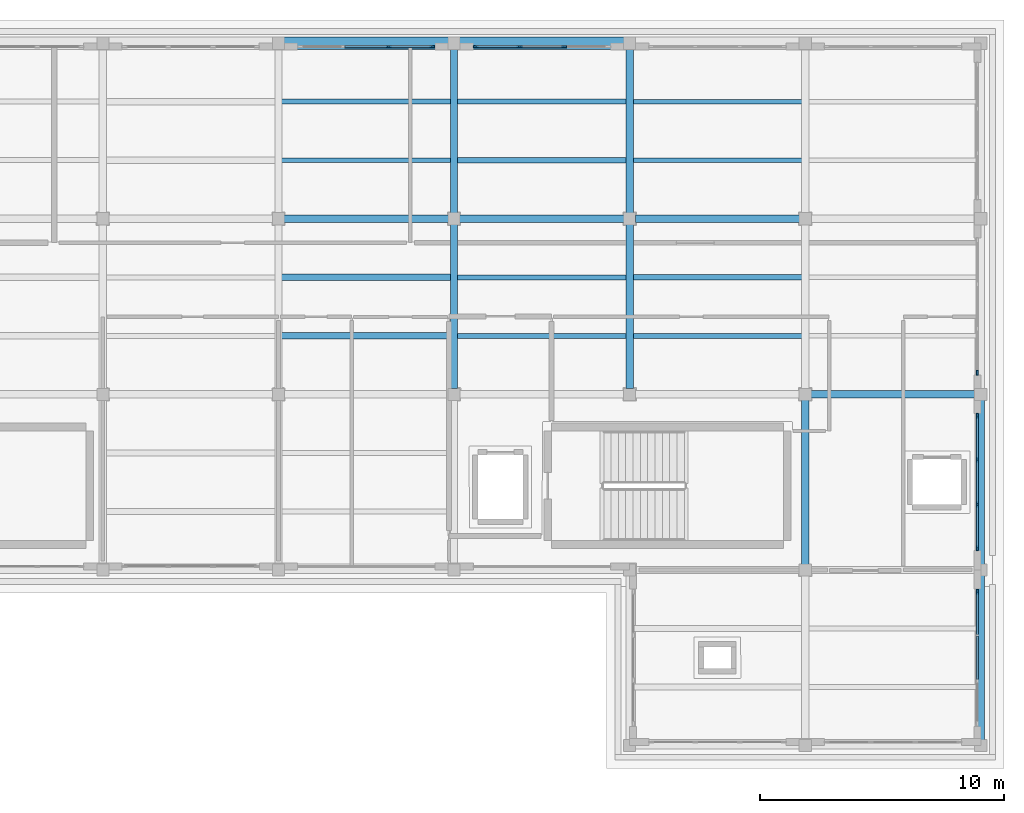
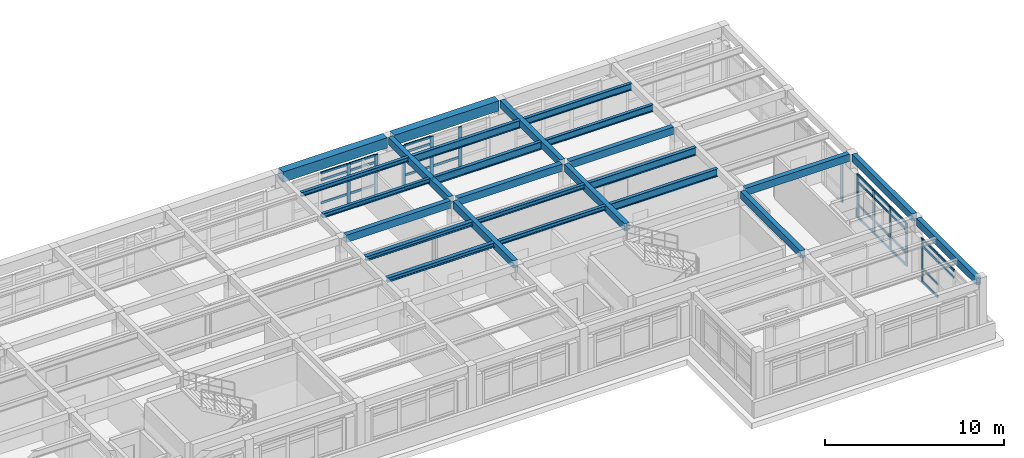
# One storey, part 7 of 18: 43 members, 25 beams, 5 elements without a shape of their own.
"""IFC4 building model written with IfcOpenShell, lengths in metres."""

from ifc_helpers import new_model, si_unit, direction, frame, origin, origin_2d, place, context, subcontext, project, spatial, rectangle, i_section, extrude, material, layer, layer_set, material_profile, profile_set, type_object, element, aggregate, save


model = new_model("IFC4")

# Units and contexts
model_context = context("Model", 3, precision=1e-05, world=origin(), true_north=direction((0.0, 1.0)))
body_context = subcontext(model_context, "Body", "Model", "MODEL_VIEW")
ifc_project = project(units=[si_unit("LENGTHUNIT", "METRE"), si_unit("AREAUNIT", "SQUARE_METRE"), si_unit("VOLUMEUNIT", "CUBIC_METRE"), si_unit("PLANEANGLEUNIT", "RADIAN"), si_unit("MASSUNIT", "GRAM", prefix="KILO")], contexts=[model_context])

# Site, building, storey
site_placement = place(None, origin())
site = spatial("IfcSite", under=ifc_project, at=site_placement, CompositionType="ELEMENT")
building_placement = place(site_placement, origin())
building = spatial("IfcBuilding", under=site, at=building_placement, Name="Solenvale Faculty of Natural Sciences", CompositionType="ELEMENT")
storey_placement = place(building_placement, frame((0.0, 0.0, 43.800048828125)))
storey = spatial("IfcBuildingStorey", under=building, at=storey_placement, Name="L10", CompositionType="ELEMENT", Elevation=43.800048828125)

# Beams
ifc_material_1 = material(Name="Concrete 40 MPa", Category="concrete")
ifc_material_profile_1 = material_profile(ifc_material_1, rectangle(XDim=0.300048828125, YDim=0.5, at=origin_2d()), Name="RC-BM-300x500")
ifc_profile_set_1 = profile_set([ifc_material_profile_1], Name="Concrete 40 MPa")
beam_type_1 = type_object("IfcBeamType", Name="BM-RC-300x500", PredefinedType="BEAM", material=ifc_profile_set_1)
beam_1_placement = place(storey_placement, frame((144.22998046875, 100.800048828125, 3.669921875), z_axis=(1.0, 0.0, 0.0), x_axis=(0.0, 1.0, 0.0)))
element("IfcBeam", 1, at=beam_1_placement, inside=storey, type_object=beam_type_1, Name="L10 X-Girder Y100.8 (144.0..151.2)", PredefinedType="BEAM", context=body_context, shape_type="SweptSolid", body=[
    extrude(rectangle(XDim=0.300048828125, YDim=0.5, at=origin_2d()), origin(), (0.0, 0.0, 1.0), 6.739990234375),
])
beam_2_placement = place(storey_placement, frame((122.6298828125, 108.0, 3.669921875), z_axis=(1.0, 0.0, 0.0), x_axis=(0.0, 1.0, 0.0)))
element("IfcBeam", 2, at=beam_2_placement, inside=storey, type_object=beam_type_1, Name="L10 X-Girder Y108.0 (122.4..129.6)", PredefinedType="BEAM", context=body_context, shape_type="SweptSolid", body=[
    extrude(rectangle(XDim=0.300048828125, YDim=0.5, at=origin_2d()), origin(), (0.0, 0.0, 1.0), 6.740234375),
])
for number, where, z_axis, x_axis, name in (
    (3, (129.830078125, 108.0, 3.669921875), (1.0, 0.0, 0.0), (0.0, 1.0, 0.0), "L10 X-Girder Y108.0 (129.6..136.8)"),
    (4, (137.030029296875, 108.0, 3.669921875), (1.0, 0.0, 0.0), (0.0, 1.0, 0.0), "L10 X-Girder Y108.0 (136.8..144.0)"),
    (5, (129.60009765625, 101.030029296875, 3.669921875), (0.0, 1.0, 0.0), (-1.0, 0.0, 0.0), "L10 Y-Girder X129.6 (100.8..108.0)"),
    (6, (129.60009765625, 108.22998046875, 3.669921875), (0.0, 1.0, 0.0), (-1.0, 0.0, 0.0), "L10 Y-Girder X129.6 (108.0..115.2)"),
    (7, (136.800048828125, 101.030029296875, 3.669921875), (0.0, 1.0, 0.0), (-1.0, 0.0, 0.0), "L10 Y-Girder X136.8 (100.8..108.0)"),
    (8, (136.800048828125, 108.22998046875, 3.669921875), (0.0, 1.0, 0.0), (-1.0, 0.0, 0.0), "L10 Y-Girder X136.8 (108.0..115.2)"),
    (9, (144.0, 93.830078125, 3.669921875), (0.0, 1.0, 0.0), (-1.0, 0.0, 0.0), "L10 Y-Girder X144.0 (93.6..100.8)"),
):
    element("IfcBeam", number, at=place(storey_placement, frame(where, z_axis=z_axis, x_axis=x_axis)), inside=storey, type_object=beam_type_1, Name=name, PredefinedType="BEAM", context=body_context, shape_type="SweptSolid", body=[
        extrude(rectangle(XDim=0.300048828125, YDim=0.5, at=origin_2d()), origin(), (0.0, 0.0, 1.0), 6.739990234375),
    ])
beam_3_placement = place(storey_placement, frame((151.199951171875, 86.6298828125, 3.669921875), z_axis=(0.0, 1.0, 0.0), x_axis=(-1.0, 0.0, 0.0)))
element("IfcBeam", 10, at=beam_3_placement, inside=storey, type_object=beam_type_1, Name="L10 Y-Girder X151.2 (86.4..93.6)", PredefinedType="BEAM", context=body_context, shape_type="SweptSolid", body=[
    extrude(rectangle(XDim=0.300048828125, YDim=0.5, at=origin_2d()), origin(), (0.0, 0.0, 1.0), 6.740234375),
])
beam_4_placement = place(storey_placement, frame((151.199951171875, 93.830078125, 3.669921875), z_axis=(0.0, 1.0, 0.0), x_axis=(-1.0, 0.0, 0.0)))
element("IfcBeam", 11, at=beam_4_placement, inside=storey, type_object=beam_type_1, Name="L10 Y-Girder X151.2 (93.6..100.8)", PredefinedType="BEAM", context=body_context, shape_type="SweptSolid", body=[
    extrude(rectangle(XDim=0.300048828125, YDim=0.5, at=origin_2d()), origin(), (0.0, 0.0, 1.0), 6.739990234375),
])
ifc_material_2 = material(Name="Precast concrete 40 MPa", Category="concrete")
ifc_material_profile_2 = material_profile(ifc_material_2, rectangle(XDim=0.5, YDim=0.699951171875, at=origin_2d()), Name="RC-BM-500x700")
ifc_profile_set_2 = profile_set([ifc_material_profile_2], Name="Precast concrete 40 MPa")
beam_type_2 = type_object("IfcBeamType", Name="BM-SPN-PRC-700", PredefinedType="SPANDREL", material=ifc_profile_set_2)
beam_5_placement = place(storey_placement, frame((122.6298828125, 115.199951171875, 3.570068359375), z_axis=(1.0, 0.0, 0.0), x_axis=(0.0, 1.0, 0.0)))
element("IfcBeam", 12, at=beam_5_placement, inside=storey, type_object=beam_type_2, Name="L10 X-Girder Y115.2 (122.4..129.6)", PredefinedType="SPANDREL", context=body_context, shape_type="SweptSolid", body=[
    extrude(rectangle(XDim=0.5, YDim=0.699951171875, at=origin_2d()), origin(), (0.0, 0.0, 1.0), 6.740234375),
])
beam_6_placement = place(storey_placement, frame((129.830078125, 115.199951171875, 3.570068359375), z_axis=(1.0, 0.0, 0.0), x_axis=(0.0, 1.0, 0.0)))
element("IfcBeam", 13, at=beam_6_placement, inside=storey, type_object=beam_type_2, Name="L10 X-Girder Y115.2 (129.6..136.8)", PredefinedType="SPANDREL", context=body_context, shape_type="SweptSolid", body=[
    extrude(rectangle(XDim=0.5, YDim=0.699951171875, at=origin_2d()), origin(), (0.0, 0.0, 1.0), 6.739990234375),
])
ifc_material_3 = material(Name="Steel S355", Category="steel")
ifc_material_profile_3 = material_profile(ifc_material_3, i_section(OverallWidth=0.202880859375, OverallDepth=0.302978515625, WebThickness=0.007568359375, FlangeThickness=0.01318359375, FilletRadius=0.014892578125, at=origin_2d()), Name="W310x60")
ifc_profile_set_3 = profile_set([ifc_material_profile_3], Name="Steel S355")
beam_type_3 = type_object("IfcBeamType", Name="BM-STL-W310x60", PredefinedType="JOIST", material=ifc_profile_set_3)
for number, where, z_axis, x_axis, name in (
    (14, (122.530029296875, 110.39990234375, 3.7685546875), (1.0, 0.0, 0.0), (0.0, 1.0, 0.0), "L10 Composite Floor Joist (18,16).1"),
    (15, (122.530029296875, 112.800048828125, 3.7685546875), (1.0, 0.0, 0.0), (0.0, 1.0, 0.0), "L10 Composite Floor Joist (18,16).2"),
    (16, (129.72998046875, 103.199951171875, 3.7685546875), (1.0, 0.0, 0.0), (0.0, 1.0, 0.0), "L10 Composite Floor Joist (19,15).1"),
    (17, (129.72998046875, 105.60009765625, 3.7685546875), (1.0, 0.0, 0.0), (0.0, 1.0, 0.0), "L10 Composite Floor Joist (19,15).2"),
):
    element("IfcBeam", number, at=place(storey_placement, frame(where, z_axis=z_axis, x_axis=x_axis)), inside=storey, type_object=beam_type_3, Name=name, PredefinedType="JOIST", context=body_context, shape_type="SweptSolid", body=[
        extrude(i_section(OverallWidth=0.202880859375, OverallDepth=0.302978515625, WebThickness=0.007568359375, FlangeThickness=0.01318359375, FilletRadius=0.014892578125, at=origin_2d()), origin(), (0.0, 0.0, 1.0), 6.93994140625),
    ])
ifc_material_profile_4 = material_profile(ifc_material_3, i_section(OverallWidth=0.25390625, OverallDepth=0.305908203125, WebThickness=0.0087890625, FlangeThickness=0.0146484375, FilletRadius=0.014892578125, at=origin_2d()), Name="W310x79")
ifc_profile_set_4 = profile_set([ifc_material_profile_4], Name="Steel S355")
beam_type_4 = type_object("IfcBeamType", Name="BM-STL-W310x79", PredefinedType="JOIST", material=ifc_profile_set_4)
for number, where, z_axis, x_axis, name in (
    (18, (122.530029296875, 103.199951171875, 3.766845703125), (1.0, 0.0, 0.0), (0.0, 1.0, 0.0), "L10 Composite Floor Joist (18,15).1"),
    (19, (122.530029296875, 105.60009765625, 3.766845703125), (1.0, 0.0, 0.0), (0.0, 1.0, 0.0), "L10 Composite Floor Joist (18,15).2"),
):
    element("IfcBeam", number, at=place(storey_placement, frame(where, z_axis=z_axis, x_axis=x_axis)), inside=storey, type_object=beam_type_4, Name=name, PredefinedType="JOIST", context=body_context, shape_type="SweptSolid", body=[
        extrude(i_section(OverallWidth=0.25390625, OverallDepth=0.305908203125, WebThickness=0.0087890625, FlangeThickness=0.0146484375, FilletRadius=0.014892578125, at=origin_2d()), origin(), (0.0, 0.0, 1.0), 6.93994140625),
    ])
ifc_material_profile_5 = material_profile(ifc_material_3, i_section(OverallWidth=0.194091796875, OverallDepth=0.468994140625, WebThickness=0.0126953125, FlangeThickness=0.0205078125, FilletRadius=0.01806640625, at=origin_2d()), Name="W460x106")
ifc_profile_set_5 = profile_set([ifc_material_profile_5], Name="Steel S355")
beam_type_5 = type_object("IfcBeamType", Name="BM-STL-W460x106", PredefinedType="JOIST", material=ifc_profile_set_5)
for number, where, z_axis, x_axis, name in (
    (20, (136.929931640625, 110.39990234375, 3.685546875), (1.0, 0.0, 0.0), (0.0, 1.0, 0.0), "L10 Composite Floor Joist (20,16).1"),
    (21, (136.929931640625, 112.800048828125, 3.685546875), (1.0, 0.0, 0.0), (0.0, 1.0, 0.0), "L10 Composite Floor Joist (20,16).2"),
):
    element("IfcBeam", number, at=place(storey_placement, frame(where, z_axis=z_axis, x_axis=x_axis)), inside=storey, type_object=beam_type_5, Name=name, PredefinedType="JOIST", context=body_context, shape_type="SweptSolid", body=[
        extrude(i_section(OverallWidth=0.194091796875, OverallDepth=0.468994140625, WebThickness=0.0126953125, FlangeThickness=0.0205078125, FilletRadius=0.01806640625, at=origin_2d()), origin(), (0.0, 0.0, 1.0), 6.940185546875),
    ])
ifc_material_profile_6 = material_profile(ifc_material_3, i_section(OverallWidth=0.208984375, OverallDepth=0.532958984375, WebThickness=0.01025390625, FlangeThickness=0.015625, FilletRadius=0.01904296875, at=origin_2d()), Name="W530x92")
ifc_profile_set_6 = profile_set([ifc_material_profile_6], Name="Steel S355")
beam_type_6 = type_object("IfcBeamType", Name="BM-STL-W530x92", PredefinedType="JOIST", material=ifc_profile_set_6)
for number, where, z_axis, x_axis, name in (
    (22, (129.72998046875, 110.39990234375, 3.653564453125), (1.0, 0.0, 0.0), (0.0, 1.0, 0.0), "L10 Composite Floor Joist (19,16).1"),
    (23, (129.72998046875, 112.800048828125, 3.653564453125), (1.0, 0.0, 0.0), (0.0, 1.0, 0.0), "L10 Composite Floor Joist (19,16).2"),
):
    element("IfcBeam", number, at=place(storey_placement, frame(where, z_axis=z_axis, x_axis=x_axis)), inside=storey, type_object=beam_type_6, Name=name, PredefinedType="JOIST", context=body_context, shape_type="SweptSolid", body=[
        extrude(i_section(OverallWidth=0.208984375, OverallDepth=0.532958984375, WebThickness=0.01025390625, FlangeThickness=0.015625, FilletRadius=0.01904296875, at=origin_2d()), origin(), (0.0, 0.0, 1.0), 6.93994140625),
    ])
for number, where, z_axis, x_axis, name in (
    (24, (136.929931640625, 103.199951171875, 3.653564453125), (1.0, 0.0, 0.0), (0.0, 1.0, 0.0), "L10 Composite Floor Joist (20,15).1"),
    (25, (136.929931640625, 105.60009765625, 3.653564453125), (1.0, 0.0, 0.0), (0.0, 1.0, 0.0), "L10 Composite Floor Joist (20,15).2"),
):
    element("IfcBeam", number, at=place(storey_placement, frame(where, z_axis=z_axis, x_axis=x_axis)), inside=storey, type_object=beam_type_6, Name=name, PredefinedType="JOIST", context=body_context, shape_type="SweptSolid", body=[
        extrude(i_section(OverallWidth=0.208984375, OverallDepth=0.532958984375, WebThickness=0.01025390625, FlangeThickness=0.015625, FilletRadius=0.01904296875, at=origin_2d()), origin(), (0.0, 0.0, 1.0), 6.940185546875),
    ])

# Curtain wall, members
ifc_material_4 = material(Name="Anodised bronze aluminium", Category="aluminium")
ifc_layer = layer(ifc_material_4, 0.179931640625)
ifc_layer_set = layer_set([ifc_layer], Name="Anodised bronze aluminium")
curtain_wall_type = type_object("IfcCurtainWallType", Name="CW-TWR-MOD", PredefinedType="USERDEFINED", material=ifc_layer_set)
curtain_wall_1_placement = place(storey_placement, origin())
curtain_wall_1 = element("IfcCurtainWall", 26, at=curtain_wall_1_placement, inside=storey, type_object=curtain_wall_type, Name="L10 Curtain Wall CW-L10-P1-E1-B1", ObjectType="UNITISED CURTAIN WALL", PredefinedType="USERDEFINED")
ifc_material_profile_7 = material_profile(ifc_material_4, rectangle(XDim=0.074951171875, YDim=0.2099609375, at=origin_2d()), Name="ALU-MUL-75x210")
ifc_profile_set_7 = profile_set([ifc_material_profile_7], Name="Anodised bronze aluminium")
member_type_1 = type_object("IfcMemberType", Name="CWM-ALU-75x210", PredefinedType="MULLION", material=ifc_profile_set_7)
member_1_placement = place(storey_placement, frame((151.0576171875, 94.487548828125, 0.0), z_axis=(0.0, 0.0, 1.0), x_axis=(-1.0, 0.0, 0.0)))
member_1 = element("IfcMember", 27, at=member_1_placement, type_object=member_type_1, Name="CW-04 mullion 1", PredefinedType="MULLION", context=body_context, shape_type="SweptSolid", body=[
    extrude(rectangle(XDim=0.074951171875, YDim=0.2099609375, at=origin_2d()), origin(), (0.0, 0.0, 1.0), 2.9599609375),
])
member_2_placement = place(storey_placement, frame((151.0576171875, 96.283447265625, 0.0), z_axis=(0.0, 0.0, 1.0), x_axis=(-1.0, 0.0, 0.0)))
member_2 = element("IfcMember", 28, at=member_2_placement, type_object=member_type_1, Name="CW-04 mullion 2", PredefinedType="MULLION", context=body_context, shape_type="SweptSolid", body=[
    extrude(rectangle(XDim=0.074951171875, YDim=0.2099609375, at=origin_2d()), origin(), (0.0, 0.0, 1.0), 2.9599609375),
])
member_3_placement = place(storey_placement, frame((151.0576171875, 98.11669921875, 0.0), z_axis=(0.0, 0.0, 1.0), x_axis=(-1.0, 0.0, 0.0)))
member_3 = element("IfcMember", 29, at=member_3_placement, type_object=member_type_1, Name="CW-04 mullion 3", PredefinedType="MULLION", context=body_context, shape_type="SweptSolid", body=[
    extrude(rectangle(XDim=0.074951171875, YDim=0.2099609375, at=origin_2d()), origin(), (0.0, 0.0, 1.0), 2.9599609375),
])
member_4_placement = place(storey_placement, frame((151.0576171875, 99.91259765625, 0.0), z_axis=(0.0, 0.0, 1.0), x_axis=(-1.0, 0.0, 0.0)))
member_4 = element("IfcMember", 30, at=member_4_placement, type_object=member_type_1, Name="CW-04 mullion 4", PredefinedType="MULLION", context=body_context, shape_type="SweptSolid", body=[
    extrude(rectangle(XDim=0.074951171875, YDim=0.2099609375, at=origin_2d()), origin(), (0.0, 0.0, 1.0), 2.9599609375),
])

# Curtain wall, member
curtain_wall_2_placement = place(storey_placement, origin())
curtain_wall_2 = element("IfcCurtainWall", 31, at=curtain_wall_2_placement, inside=storey, type_object=curtain_wall_type, Name="L10 Curtain Wall CW-L10-P1-E1-B2", ObjectType="UNITISED CURTAIN WALL", PredefinedType="USERDEFINED")
member_5_placement = place(storey_placement, frame((151.0576171875, 101.6875, 0.0), z_axis=(0.0, 0.0, 1.0), x_axis=(-1.0, 0.0, 0.0)))
member_5 = element("IfcMember", 32, at=member_5_placement, type_object=member_type_1, Name="CW-04 mullion 1", PredefinedType="MULLION", context=body_context, shape_type="SweptSolid", body=[
    extrude(rectangle(XDim=0.074951171875, YDim=0.2099609375, at=origin_2d()), origin(), (0.0, 0.0, 1.0), 2.9599609375),
])
aggregate(curtain_wall_2, [member_5])

# Curtain wall, members
curtain_wall_3_placement = place(storey_placement, origin())
curtain_wall_3 = element("IfcCurtainWall", 33, at=curtain_wall_3_placement, inside=storey, type_object=curtain_wall_type, Name="L10 Curtain Wall CW-L10-P1-E2-B3", ObjectType="UNITISED CURTAIN WALL", PredefinedType="USERDEFINED")
member_6_placement = place(storey_placement, frame((134.11669921875, 115.0576171875, 0.0), z_axis=(0.0, 0.0, 1.0), x_axis=(0.0, -1.0, 0.0)))
member_6 = element("IfcMember", 34, at=member_6_placement, type_object=member_type_1, Name="CW-04 mullion 2", PredefinedType="MULLION", context=body_context, shape_type="SweptSolid", body=[
    extrude(rectangle(XDim=0.074951171875, YDim=0.2099609375, at=origin_2d()), origin(), (0.0, 0.0, 1.0), 2.9599609375),
])
member_7_placement = place(storey_placement, frame((132.283447265625, 115.0576171875, 0.0), z_axis=(0.0, 0.0, 1.0), x_axis=(0.0, -1.0, 0.0)))
member_7 = element("IfcMember", 35, at=member_7_placement, type_object=member_type_1, Name="CW-04 mullion 3", PredefinedType="MULLION", context=body_context, shape_type="SweptSolid", body=[
    extrude(rectangle(XDim=0.074951171875, YDim=0.2099609375, at=origin_2d()), origin(), (0.0, 0.0, 1.0), 2.9599609375),
])
member_8_placement = place(storey_placement, frame((130.487548828125, 115.0576171875, 0.0), z_axis=(0.0, 0.0, 1.0), x_axis=(0.0, -1.0, 0.0)))
member_8 = element("IfcMember", 36, at=member_8_placement, type_object=member_type_1, Name="CW-04 mullion 4", PredefinedType="MULLION", context=body_context, shape_type="SweptSolid", body=[
    extrude(rectangle(XDim=0.074951171875, YDim=0.2099609375, at=origin_2d()), origin(), (0.0, 0.0, 1.0), 2.9599609375),
])

curtain_wall_4_placement = place(storey_placement, origin())
curtain_wall_4 = element("IfcCurtainWall", 37, at=curtain_wall_4_placement, inside=storey, type_object=curtain_wall_type, Name="L10 Curtain Wall CW-L10-P1-E2-B4", ObjectType="UNITISED CURTAIN WALL", PredefinedType="USERDEFINED")
member_9_placement = place(storey_placement, frame((128.71240234375, 115.0576171875, 0.0), z_axis=(0.0, 0.0, 1.0), x_axis=(0.0, -1.0, 0.0)))
member_9 = element("IfcMember", 38, at=member_9_placement, type_object=member_type_1, Name="CW-04 mullion 1", PredefinedType="MULLION", context=body_context, shape_type="SweptSolid", body=[
    extrude(rectangle(XDim=0.074951171875, YDim=0.2099609375, at=origin_2d()), origin(), (0.0, 0.0, 1.0), 2.9599609375),
])
member_10_placement = place(storey_placement, frame((126.916748046875, 115.0576171875, 0.0), z_axis=(0.0, 0.0, 1.0), x_axis=(0.0, -1.0, 0.0)))
member_10 = element("IfcMember", 39, at=member_10_placement, type_object=member_type_1, Name="CW-04 mullion 2", PredefinedType="MULLION", context=body_context, shape_type="SweptSolid", body=[
    extrude(rectangle(XDim=0.074951171875, YDim=0.2099609375, at=origin_2d()), origin(), (0.0, 0.0, 1.0), 2.9599609375),
])

# Curtain wall, member
curtain_wall_5_placement = place(storey_placement, origin())
curtain_wall_5 = element("IfcCurtainWall", 40, at=curtain_wall_5_placement, inside=storey, type_object=curtain_wall_type, Name="L10 Curtain Wall CW-L10-P1-E7-B1", ObjectType="UNITISED CURTAIN WALL", PredefinedType="USERDEFINED")
member_11_placement = place(storey_placement, frame((151.0576171875, 92.71240234375, 0.0), z_axis=(0.0, 0.0, 1.0), x_axis=(-1.0, 0.0, 0.0)))
member_11 = element("IfcMember", 41, at=member_11_placement, type_object=member_type_1, Name="CW-04 mullion 4", PredefinedType="MULLION", context=body_context, shape_type="SweptSolid", body=[
    extrude(rectangle(XDim=0.074951171875, YDim=0.2099609375, at=origin_2d()), origin(), (0.0, 0.0, 1.0), 2.9599609375),
])

# Member
ifc_material_profile_8 = material_profile(ifc_material_4, rectangle(XDim=0.074951171875, YDim=0.155029296875, at=origin_2d()), Name="ALU-TRN-75x155")
ifc_profile_set_8 = profile_set([ifc_material_profile_8], Name="Anodised bronze aluminium")
member_type_2 = type_object("IfcMemberType", Name="CWT-ALU-75x155", PredefinedType="USERDEFINED", material=ifc_profile_set_8)
member_12_placement = place(storey_placement, frame((151.0576171875, 94.52490234375, 0.037353515625), z_axis=(0.0, 1.0, 0.0), x_axis=(-1.0, 0.0, 0.0)))
member_12 = element("IfcMember", 42, at=member_12_placement, type_object=member_type_2, Name="CW-04 transom 1.1", ObjectType="TRANSOM", PredefinedType="USERDEFINED", context=body_context, shape_type="SweptSolid", body=[
    extrude(rectangle(XDim=0.074951171875, YDim=0.155029296875, at=origin_2d()), origin(), (0.0, 0.0, 1.0), 1.720947265625),
])

member_13_placement = place(storey_placement, frame((151.0576171875, 94.52490234375, 0.89990234375), z_axis=(0.0, 1.0, 0.0), x_axis=(-1.0, 0.0, 0.0)))
member_13 = element("IfcMember", 43, at=member_13_placement, type_object=member_type_2, Name="CW-04 transom 1.2", ObjectType="TRANSOM", PredefinedType="USERDEFINED", context=body_context, shape_type="SweptSolid", body=[
    extrude(rectangle(XDim=0.074951171875, YDim=0.155029296875, at=origin_2d()), origin(), (0.0, 0.0, 1.0), 1.720947265625),
])

member_14_placement = place(storey_placement, frame((151.0576171875, 94.52490234375, 2.4599609375), z_axis=(0.0, 1.0, 0.0), x_axis=(-1.0, 0.0, 0.0)))
member_14 = element("IfcMember", 44, at=member_14_placement, type_object=member_type_2, Name="CW-04 transom 1.3", ObjectType="TRANSOM", PredefinedType="USERDEFINED", context=body_context, shape_type="SweptSolid", body=[
    extrude(rectangle(XDim=0.074951171875, YDim=0.155029296875, at=origin_2d()), origin(), (0.0, 0.0, 1.0), 1.720947265625),
])

member_15_placement = place(storey_placement, frame((151.0576171875, 94.52490234375, 2.92236328125), z_axis=(0.0, 1.0, 0.0), x_axis=(-1.0, 0.0, 0.0)))
member_15 = element("IfcMember", 45, at=member_15_placement, type_object=member_type_2, Name="CW-04 transom 1.4", ObjectType="TRANSOM", PredefinedType="USERDEFINED", context=body_context, shape_type="SweptSolid", body=[
    extrude(rectangle(XDim=0.074951171875, YDim=0.155029296875, at=origin_2d()), origin(), (0.0, 0.0, 1.0), 1.720947265625),
])

member_16_placement = place(storey_placement, frame((151.0576171875, 96.32080078125, 0.037353515625), z_axis=(0.0, 1.0, 0.0), x_axis=(-1.0, 0.0, 0.0)))
member_16 = element("IfcMember", 46, at=member_16_placement, type_object=member_type_2, Name="CW-04 transom 2.1", ObjectType="TRANSOM", PredefinedType="USERDEFINED", context=body_context, shape_type="SweptSolid", body=[
    extrude(rectangle(XDim=0.074951171875, YDim=0.155029296875, at=origin_2d()), origin(), (0.0, 0.0, 1.0), 1.75830078125),
])

member_17_placement = place(storey_placement, frame((151.0576171875, 96.32080078125, 0.89990234375), z_axis=(0.0, 1.0, 0.0), x_axis=(-1.0, 0.0, 0.0)))
member_17 = element("IfcMember", 47, at=member_17_placement, type_object=member_type_2, Name="CW-04 transom 2.2", ObjectType="TRANSOM", PredefinedType="USERDEFINED", context=body_context, shape_type="SweptSolid", body=[
    extrude(rectangle(XDim=0.074951171875, YDim=0.155029296875, at=origin_2d()), origin(), (0.0, 0.0, 1.0), 1.75830078125),
])

member_18_placement = place(storey_placement, frame((151.0576171875, 96.32080078125, 2.4599609375), z_axis=(0.0, 1.0, 0.0), x_axis=(-1.0, 0.0, 0.0)))
member_18 = element("IfcMember", 48, at=member_18_placement, type_object=member_type_2, Name="CW-04 transom 2.3", ObjectType="TRANSOM", PredefinedType="USERDEFINED", context=body_context, shape_type="SweptSolid", body=[
    extrude(rectangle(XDim=0.074951171875, YDim=0.155029296875, at=origin_2d()), origin(), (0.0, 0.0, 1.0), 1.75830078125),
])

member_19_placement = place(storey_placement, frame((151.0576171875, 96.32080078125, 2.92236328125), z_axis=(0.0, 1.0, 0.0), x_axis=(-1.0, 0.0, 0.0)))
member_19 = element("IfcMember", 49, at=member_19_placement, type_object=member_type_2, Name="CW-04 transom 2.4", ObjectType="TRANSOM", PredefinedType="USERDEFINED", context=body_context, shape_type="SweptSolid", body=[
    extrude(rectangle(XDim=0.074951171875, YDim=0.155029296875, at=origin_2d()), origin(), (0.0, 0.0, 1.0), 1.75830078125),
])

member_20_placement = place(storey_placement, frame((151.0576171875, 98.154052734375, 0.037353515625), z_axis=(0.0, 1.0, 0.0), x_axis=(-1.0, 0.0, 0.0)))
member_20 = element("IfcMember", 50, at=member_20_placement, type_object=member_type_2, Name="CW-04 transom 3.1", ObjectType="TRANSOM", PredefinedType="USERDEFINED", context=body_context, shape_type="SweptSolid", body=[
    extrude(rectangle(XDim=0.074951171875, YDim=0.155029296875, at=origin_2d()), origin(), (0.0, 0.0, 1.0), 1.720947265625),
])

member_21_placement = place(storey_placement, frame((151.0576171875, 98.154052734375, 0.89990234375), z_axis=(0.0, 1.0, 0.0), x_axis=(-1.0, 0.0, 0.0)))
member_21 = element("IfcMember", 51, at=member_21_placement, type_object=member_type_2, Name="CW-04 transom 3.2", ObjectType="TRANSOM", PredefinedType="USERDEFINED", context=body_context, shape_type="SweptSolid", body=[
    extrude(rectangle(XDim=0.074951171875, YDim=0.155029296875, at=origin_2d()), origin(), (0.0, 0.0, 1.0), 1.720947265625),
])

member_22_placement = place(storey_placement, frame((151.0576171875, 98.154052734375, 2.4599609375), z_axis=(0.0, 1.0, 0.0), x_axis=(-1.0, 0.0, 0.0)))
member_22 = element("IfcMember", 52, at=member_22_placement, type_object=member_type_2, Name="CW-04 transom 3.3", ObjectType="TRANSOM", PredefinedType="USERDEFINED", context=body_context, shape_type="SweptSolid", body=[
    extrude(rectangle(XDim=0.074951171875, YDim=0.155029296875, at=origin_2d()), origin(), (0.0, 0.0, 1.0), 1.720947265625),
])

member_23_placement = place(storey_placement, frame((151.0576171875, 98.154052734375, 2.92236328125), z_axis=(0.0, 1.0, 0.0), x_axis=(-1.0, 0.0, 0.0)))
member_23 = element("IfcMember", 53, at=member_23_placement, type_object=member_type_2, Name="CW-04 transom 3.4", ObjectType="TRANSOM", PredefinedType="USERDEFINED", context=body_context, shape_type="SweptSolid", body=[
    extrude(rectangle(XDim=0.074951171875, YDim=0.155029296875, at=origin_2d()), origin(), (0.0, 0.0, 1.0), 1.720947265625),
])

aggregate(curtain_wall_1, [member_1, member_2, member_3, member_4, member_12, member_13, member_14, member_15, member_16, member_17, member_18, member_19, member_20, member_21, member_22, member_23])

member_24_placement = place(storey_placement, frame((134.0791015625, 115.0576171875, 0.037353515625), z_axis=(-1.0, 0.0, 0.0), x_axis=(0.0, -1.0, 0.0)))
member_24 = element("IfcMember", 54, at=member_24_placement, type_object=member_type_2, Name="CW-04 transom 2.1", ObjectType="TRANSOM", PredefinedType="USERDEFINED", context=body_context, shape_type="SweptSolid", body=[
    extrude(rectangle(XDim=0.074951171875, YDim=0.155029296875, at=origin_2d()), origin(), (0.0, 0.0, 1.0), 1.75830078125),
])

member_25_placement = place(storey_placement, frame((134.0791015625, 115.0576171875, 0.89990234375), z_axis=(-1.0, 0.0, 0.0), x_axis=(0.0, -1.0, 0.0)))
member_25 = element("IfcMember", 55, at=member_25_placement, type_object=member_type_2, Name="CW-04 transom 2.2", ObjectType="TRANSOM", PredefinedType="USERDEFINED", context=body_context, shape_type="SweptSolid", body=[
    extrude(rectangle(XDim=0.074951171875, YDim=0.155029296875, at=origin_2d()), origin(), (0.0, 0.0, 1.0), 1.75830078125),
])

member_26_placement = place(storey_placement, frame((132.245849609375, 115.0576171875, 0.037353515625), z_axis=(-1.0, 0.0, 0.0), x_axis=(0.0, -1.0, 0.0)))
member_26 = element("IfcMember", 56, at=member_26_placement, type_object=member_type_2, Name="CW-04 transom 3.1", ObjectType="TRANSOM", PredefinedType="USERDEFINED", context=body_context, shape_type="SweptSolid", body=[
    extrude(rectangle(XDim=0.074951171875, YDim=0.155029296875, at=origin_2d()), origin(), (0.0, 0.0, 1.0), 1.720947265625),
])

member_27_placement = place(storey_placement, frame((132.245849609375, 115.0576171875, 0.89990234375), z_axis=(-1.0, 0.0, 0.0), x_axis=(0.0, -1.0, 0.0)))
member_27 = element("IfcMember", 57, at=member_27_placement, type_object=member_type_2, Name="CW-04 transom 3.2", ObjectType="TRANSOM", PredefinedType="USERDEFINED", context=body_context, shape_type="SweptSolid", body=[
    extrude(rectangle(XDim=0.074951171875, YDim=0.155029296875, at=origin_2d()), origin(), (0.0, 0.0, 1.0), 1.720947265625),
])

member_28_placement = place(storey_placement, frame((132.245849609375, 115.0576171875, 2.4599609375), z_axis=(-1.0, 0.0, 0.0), x_axis=(0.0, -1.0, 0.0)))
member_28 = element("IfcMember", 58, at=member_28_placement, type_object=member_type_2, Name="CW-04 transom 3.3", ObjectType="TRANSOM", PredefinedType="USERDEFINED", context=body_context, shape_type="SweptSolid", body=[
    extrude(rectangle(XDim=0.074951171875, YDim=0.155029296875, at=origin_2d()), origin(), (0.0, 0.0, 1.0), 1.720947265625),
])

member_29_placement = place(storey_placement, frame((132.245849609375, 115.0576171875, 2.92236328125), z_axis=(-1.0, 0.0, 0.0), x_axis=(0.0, -1.0, 0.0)))
member_29 = element("IfcMember", 59, at=member_29_placement, type_object=member_type_2, Name="CW-04 transom 3.4", ObjectType="TRANSOM", PredefinedType="USERDEFINED", context=body_context, shape_type="SweptSolid", body=[
    extrude(rectangle(XDim=0.074951171875, YDim=0.155029296875, at=origin_2d()), origin(), (0.0, 0.0, 1.0), 1.720947265625),
])

aggregate(curtain_wall_3, [member_6, member_7, member_8, member_24, member_25, member_26, member_27, member_28, member_29])

member_30_placement = place(storey_placement, frame((128.675048828125, 115.0576171875, 0.037353515625), z_axis=(-1.0, 0.0, 0.0), x_axis=(0.0, -1.0, 0.0)))
member_30 = element("IfcMember", 60, at=member_30_placement, type_object=member_type_2, Name="CW-04 transom 1.1", ObjectType="TRANSOM", PredefinedType="USERDEFINED", context=body_context, shape_type="SweptSolid", body=[
    extrude(rectangle(XDim=0.074951171875, YDim=0.155029296875, at=origin_2d()), origin(), (0.0, 0.0, 1.0), 1.720947265625),
])

member_31_placement = place(storey_placement, frame((128.675048828125, 115.0576171875, 0.89990234375), z_axis=(-1.0, 0.0, 0.0), x_axis=(0.0, -1.0, 0.0)))
member_31 = element("IfcMember", 61, at=member_31_placement, type_object=member_type_2, Name="CW-04 transom 1.2", ObjectType="TRANSOM", PredefinedType="USERDEFINED", context=body_context, shape_type="SweptSolid", body=[
    extrude(rectangle(XDim=0.074951171875, YDim=0.155029296875, at=origin_2d()), origin(), (0.0, 0.0, 1.0), 1.720947265625),
])

member_32_placement = place(storey_placement, frame((128.675048828125, 115.0576171875, 2.4599609375), z_axis=(-1.0, 0.0, 0.0), x_axis=(0.0, -1.0, 0.0)))
member_32 = element("IfcMember", 62, at=member_32_placement, type_object=member_type_2, Name="CW-04 transom 1.3", ObjectType="TRANSOM", PredefinedType="USERDEFINED", context=body_context, shape_type="SweptSolid", body=[
    extrude(rectangle(XDim=0.074951171875, YDim=0.155029296875, at=origin_2d()), origin(), (0.0, 0.0, 1.0), 1.720947265625),
])

member_33_placement = place(storey_placement, frame((128.675048828125, 115.0576171875, 2.92236328125), z_axis=(-1.0, 0.0, 0.0), x_axis=(0.0, -1.0, 0.0)))
member_33 = element("IfcMember", 63, at=member_33_placement, type_object=member_type_2, Name="CW-04 transom 1.4", ObjectType="TRANSOM", PredefinedType="USERDEFINED", context=body_context, shape_type="SweptSolid", body=[
    extrude(rectangle(XDim=0.074951171875, YDim=0.155029296875, at=origin_2d()), origin(), (0.0, 0.0, 1.0), 1.720947265625),
])

member_34_placement = place(storey_placement, frame((126.879150390625, 115.0576171875, 0.037353515625), z_axis=(-1.0, 0.0, 0.0), x_axis=(0.0, -1.0, 0.0)))
member_34 = element("IfcMember", 64, at=member_34_placement, type_object=member_type_2, Name="CW-04 transom 2.1", ObjectType="TRANSOM", PredefinedType="USERDEFINED", context=body_context, shape_type="SweptSolid", body=[
    extrude(rectangle(XDim=0.074951171875, YDim=0.155029296875, at=origin_2d()), origin(), (0.0, 0.0, 1.0), 1.75830078125),
])

member_35_placement = place(storey_placement, frame((126.879150390625, 115.0576171875, 0.89990234375), z_axis=(-1.0, 0.0, 0.0), x_axis=(0.0, -1.0, 0.0)))
member_35 = element("IfcMember", 65, at=member_35_placement, type_object=member_type_2, Name="CW-04 transom 2.2", ObjectType="TRANSOM", PredefinedType="USERDEFINED", context=body_context, shape_type="SweptSolid", body=[
    extrude(rectangle(XDim=0.074951171875, YDim=0.155029296875, at=origin_2d()), origin(), (0.0, 0.0, 1.0), 1.75830078125),
])

member_36_placement = place(storey_placement, frame((126.879150390625, 115.0576171875, 2.4599609375), z_axis=(-1.0, 0.0, 0.0), x_axis=(0.0, -1.0, 0.0)))
member_36 = element("IfcMember", 66, at=member_36_placement, type_object=member_type_2, Name="CW-04 transom 2.3", ObjectType="TRANSOM", PredefinedType="USERDEFINED", context=body_context, shape_type="SweptSolid", body=[
    extrude(rectangle(XDim=0.074951171875, YDim=0.155029296875, at=origin_2d()), origin(), (0.0, 0.0, 1.0), 1.75830078125),
])

member_37_placement = place(storey_placement, frame((126.879150390625, 115.0576171875, 2.92236328125), z_axis=(-1.0, 0.0, 0.0), x_axis=(0.0, -1.0, 0.0)))
member_37 = element("IfcMember", 67, at=member_37_placement, type_object=member_type_2, Name="CW-04 transom 2.4", ObjectType="TRANSOM", PredefinedType="USERDEFINED", context=body_context, shape_type="SweptSolid", body=[
    extrude(rectangle(XDim=0.074951171875, YDim=0.155029296875, at=origin_2d()), origin(), (0.0, 0.0, 1.0), 1.75830078125),
])

aggregate(curtain_wall_4, [member_9, member_10, member_30, member_31, member_32, member_33, member_34, member_35, member_36, member_37])

member_38_placement = place(storey_placement, frame((151.0576171875, 89.120849609375, 2.4599609375), z_axis=(0.0, 1.0, 0.0), x_axis=(-1.0, 0.0, 0.0)))
member_38 = element("IfcMember", 68, at=member_38_placement, type_object=member_type_2, Name="CW-04 transom 2.3", ObjectType="TRANSOM", PredefinedType="USERDEFINED", context=body_context, shape_type="SweptSolid", body=[
    extrude(rectangle(XDim=0.074951171875, YDim=0.155029296875, at=origin_2d()), origin(), (0.0, 0.0, 1.0), 1.75830078125),
])

member_39_placement = place(storey_placement, frame((151.0576171875, 89.120849609375, 2.92236328125), z_axis=(0.0, 1.0, 0.0), x_axis=(-1.0, 0.0, 0.0)))
member_39 = element("IfcMember", 69, at=member_39_placement, type_object=member_type_2, Name="CW-04 transom 2.4", ObjectType="TRANSOM", PredefinedType="USERDEFINED", context=body_context, shape_type="SweptSolid", body=[
    extrude(rectangle(XDim=0.074951171875, YDim=0.155029296875, at=origin_2d()), origin(), (0.0, 0.0, 1.0), 1.75830078125),
])

member_40_placement = place(storey_placement, frame((151.0576171875, 90.9541015625, 0.037353515625), z_axis=(0.0, 1.0, 0.0), x_axis=(-1.0, 0.0, 0.0)))
member_40 = element("IfcMember", 70, at=member_40_placement, type_object=member_type_2, Name="CW-04 transom 3.1", ObjectType="TRANSOM", PredefinedType="USERDEFINED", context=body_context, shape_type="SweptSolid", body=[
    extrude(rectangle(XDim=0.074951171875, YDim=0.155029296875, at=origin_2d()), origin(), (0.0, 0.0, 1.0), 1.720947265625),
])

member_41_placement = place(storey_placement, frame((151.0576171875, 90.9541015625, 0.89990234375), z_axis=(0.0, 1.0, 0.0), x_axis=(-1.0, 0.0, 0.0)))
member_41 = element("IfcMember", 71, at=member_41_placement, type_object=member_type_2, Name="CW-04 transom 3.2", ObjectType="TRANSOM", PredefinedType="USERDEFINED", context=body_context, shape_type="SweptSolid", body=[
    extrude(rectangle(XDim=0.074951171875, YDim=0.155029296875, at=origin_2d()), origin(), (0.0, 0.0, 1.0), 1.720947265625),
])

member_42_placement = place(storey_placement, frame((151.0576171875, 90.9541015625, 2.4599609375), z_axis=(0.0, 1.0, 0.0), x_axis=(-1.0, 0.0, 0.0)))
member_42 = element("IfcMember", 72, at=member_42_placement, type_object=member_type_2, Name="CW-04 transom 3.3", ObjectType="TRANSOM", PredefinedType="USERDEFINED", context=body_context, shape_type="SweptSolid", body=[
    extrude(rectangle(XDim=0.074951171875, YDim=0.155029296875, at=origin_2d()), origin(), (0.0, 0.0, 1.0), 1.720947265625),
])

member_43_placement = place(storey_placement, frame((151.0576171875, 90.9541015625, 2.92236328125), z_axis=(0.0, 1.0, 0.0), x_axis=(-1.0, 0.0, 0.0)))
member_43 = element("IfcMember", 73, at=member_43_placement, type_object=member_type_2, Name="CW-04 transom 3.4", ObjectType="TRANSOM", PredefinedType="USERDEFINED", context=body_context, shape_type="SweptSolid", body=[
    extrude(rectangle(XDim=0.074951171875, YDim=0.155029296875, at=origin_2d()), origin(), (0.0, 0.0, 1.0), 1.720947265625),
])

aggregate(curtain_wall_5, [member_11, member_38, member_39, member_40, member_41, member_42, member_43])

save(model, "model.ifc")
